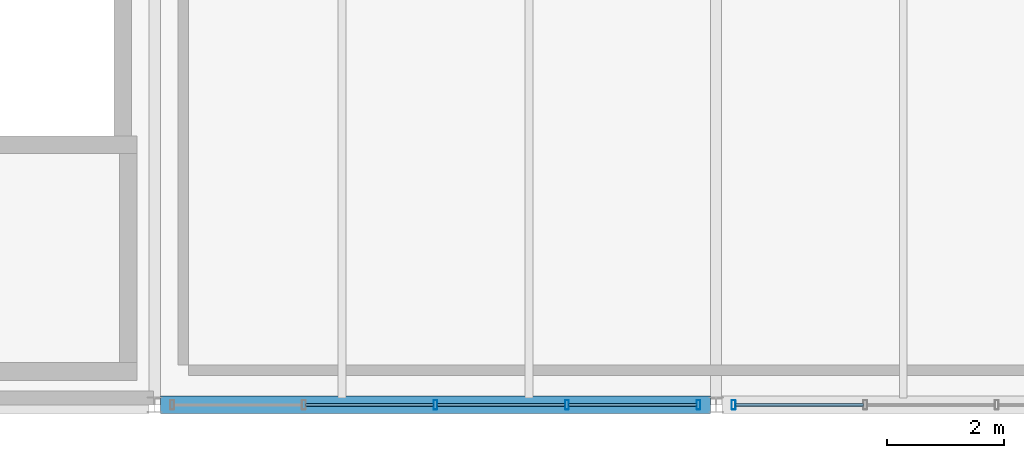
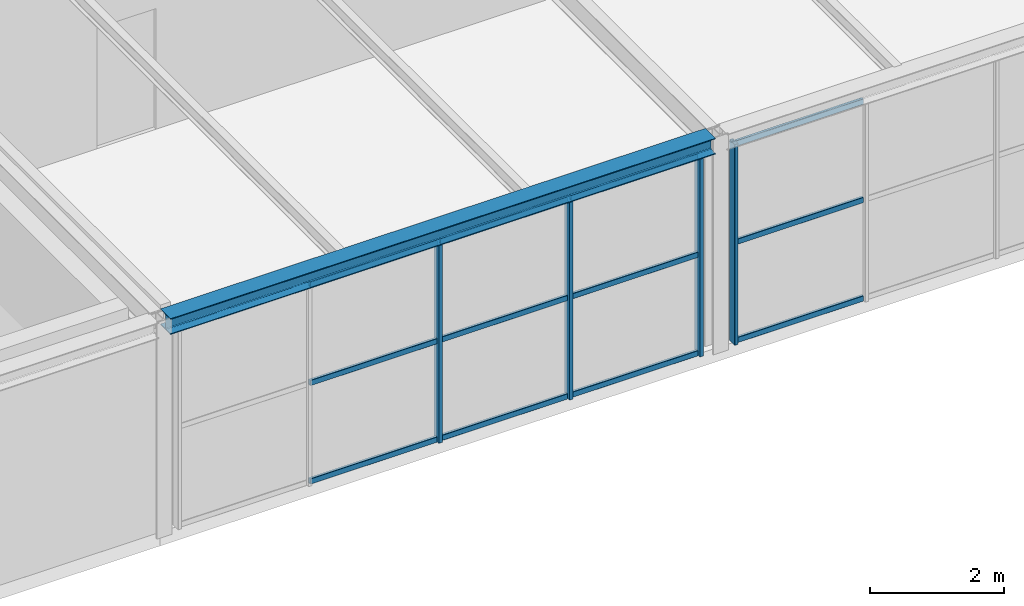
# One storey, part 18 of 39: 16 members, 1 beam, 2 elements without a shape of their own.
"""IFC4 building model written with IfcOpenShell, lengths in metres."""

from ifc_helpers import new_model, si_unit, direction, frame, origin, origin_2d, place, context, subcontext, project, spatial, hollow_rectangle, i_section, extrude, material, material_profile, profile_set, type_object, element, aggregate, save


model = new_model("IFC4")

# Units and contexts
model_context = context("Model", 3, precision=1e-05, world=origin(), true_north=direction((0.0, 1.0)))
body_context = subcontext(model_context, "Body", "Model", "MODEL_VIEW")
ifc_project = project(units=[si_unit("LENGTHUNIT", "METRE"), si_unit("AREAUNIT", "SQUARE_METRE"), si_unit("VOLUMEUNIT", "CUBIC_METRE"), si_unit("PLANEANGLEUNIT", "RADIAN"), si_unit("MASSUNIT", "GRAM", prefix="KILO")], contexts=[model_context])

# Site, building, storey
site_placement = place(None, origin())
site = spatial("IfcSite", under=ifc_project, at=site_placement, CompositionType="ELEMENT")
building_placement = place(site_placement, origin())
building = spatial("IfcBuilding", under=site, at=building_placement, Name="Coralgate Yard Interchange", CompositionType="ELEMENT")
storey_placement = place(building_placement, frame((0.0, 0.0, 18.89990234375)))
storey = spatial("IfcBuildingStorey", under=building, at=storey_placement, Name="L04", CompositionType="ELEMENT", Elevation=18.89990234375)

# Beam
ifc_material_1 = material(Name="Structural steel S355J2", Category="steel")
ifc_material_profile_1 = material_profile(ifc_material_1, i_section(OverallWidth=0.300048828125, OverallDepth=0.2900390625, WebThickness=0.008544921875, FlangeThickness=0.013916015625, FilletRadius=0.027099609375, at=origin_2d()), Name="HEA 300")
ifc_profile_set_1 = profile_set([ifc_material_profile_1], Name="Structural steel S355J2")
beam_type = type_object("IfcBeamType", Name="BM-SP-2", PredefinedType="SPANDREL", material=ifc_profile_set_1)
beam_placement = place(storey_placement, frame((28.8994140625, 0.0, 3.80517578125), z_axis=(1.0, 0.0, 0.0), x_axis=(0.0, 1.0, 0.0)))
element("IfcBeam", 1, at=beam_placement, inside=storey, type_object=beam_type, Name="L04 primary grid beam Y0 X3-4", PredefinedType="SPANDREL", context=body_context, shape_type="SweptSolid", body=[
    extrude(i_section(OverallWidth=0.300048828125, OverallDepth=0.2900390625, WebThickness=0.008544921875, FlangeThickness=0.013916015625, FilletRadius=0.027099609375, at=origin_2d()), origin(), (0.0, 0.0, 1.0), 9.401123046875),
])

# Curtain wall, members
ifc_material_2 = material(Name="Anodised coastal aluminium and solar-control low-E glass", Category="aluminium")
curtain_wall_type = type_object("IfcCurtainWallType", Name="CW-CW-L04-A", PredefinedType="NOTDEFINED", material=ifc_material_2)
curtain_wall_1_placement = place(storey_placement, origin())
curtain_wall_1 = element("IfcCurtainWall", 2, at=curtain_wall_1_placement, inside=storey, type_object=curtain_wall_type, Name="L04 unitised curtain wall CW-L04-S-03-00", PredefinedType="NOTDEFINED")
ifc_material_3 = material(Name="Anodised coastal aluminium 6063-T6", Category="aluminium")
ifc_material_profile_2 = material_profile(ifc_material_3, hollow_rectangle(XDim=0.06494140625, YDim=0.159912109375, WallThickness=0.00390625, InnerFilletRadius=0.00390625, OuterFilletRadius=0.008056640625, at=origin_2d()), Name="ALU 65x160x4")
ifc_profile_set_2 = profile_set([ifc_material_profile_2], Name="Anodised coastal aluminium 6063-T6")
member_type_1 = type_object("IfcMemberType", Name="MB-MUL-160", PredefinedType="MULLION", material=ifc_profile_set_2)
member_1_placement = place(storey_placement, frame((38.10009765625, 0.0, 0.0), z_axis=(0.0, 0.0, 1.0), x_axis=(1.0, 0.0, 0.0)))
member_1 = element("IfcMember", 3, at=member_1_placement, type_object=member_type_1, Name="CW-L04-S-03-00 vertical mullion 1", PredefinedType="MULLION", context=body_context, shape_type="SweptSolid", body=[
    extrude(hollow_rectangle(XDim=0.06494140625, YDim=0.159912109375, WallThickness=0.00390625, InnerFilletRadius=0.00390625, OuterFilletRadius=0.008056640625, at=origin_2d()), origin(), (0.0, 0.0, 1.0), 3.66015625),
])
member_2_placement = place(storey_placement, frame((35.85009765625, 0.0, 0.0), z_axis=(0.0, 0.0, 1.0), x_axis=(1.0, 0.0, 0.0)))
member_2 = element("IfcMember", 4, at=member_2_placement, type_object=member_type_1, Name="CW-L04-S-03-00 vertical mullion 2", PredefinedType="MULLION", context=body_context, shape_type="SweptSolid", body=[
    extrude(hollow_rectangle(XDim=0.06494140625, YDim=0.159912109375, WallThickness=0.00390625, InnerFilletRadius=0.00390625, OuterFilletRadius=0.008056640625, at=origin_2d()), origin(), (0.0, 0.0, 1.0), 3.66015625),
])
member_3_placement = place(storey_placement, frame((33.60009765625, 0.0, 0.0), z_axis=(0.0, 0.0, 1.0), x_axis=(1.0, 0.0, 0.0)))
member_3 = element("IfcMember", 5, at=member_3_placement, type_object=member_type_1, Name="CW-L04-S-03-00 vertical mullion 3", PredefinedType="MULLION", context=body_context, shape_type="SweptSolid", body=[
    extrude(hollow_rectangle(XDim=0.06494140625, YDim=0.159912109375, WallThickness=0.00390625, InnerFilletRadius=0.00390625, OuterFilletRadius=0.008056640625, at=origin_2d()), origin(), (0.0, 0.0, 1.0), 3.66015625),
])

# Curtain wall, member
curtain_wall_2_placement = place(storey_placement, origin())
curtain_wall_2 = element("IfcCurtainWall", 6, at=curtain_wall_2_placement, inside=storey, type_object=curtain_wall_type, Name="L04 unitised curtain wall CW-L04-S-04-00", PredefinedType="NOTDEFINED")
member_4_placement = place(storey_placement, frame((38.699951171875, 0.0, 0.0), z_axis=(0.0, 0.0, 1.0), x_axis=(1.0, 0.0, 0.0)))
member_4 = element("IfcMember", 7, at=member_4_placement, type_object=member_type_1, Name="CW-L04-S-04-00 vertical mullion 5", PredefinedType="MULLION", context=body_context, shape_type="SweptSolid", body=[
    extrude(hollow_rectangle(XDim=0.06494140625, YDim=0.159912109375, WallThickness=0.00390625, InnerFilletRadius=0.00390625, OuterFilletRadius=0.008056640625, at=origin_2d()), origin(), (0.0, 0.0, 1.0), 3.66015625),
])

# Member
ifc_material_profile_3 = material_profile(ifc_material_3, hollow_rectangle(XDim=0.050048828125, YDim=0.10009765625, WallThickness=0.0029296875, InnerFilletRadius=0.0029296875, OuterFilletRadius=0.006103515625, at=origin_2d()), Name="ALU 50x100x3")
ifc_profile_set_3 = profile_set([ifc_material_profile_3], Name="Anodised coastal aluminium 6063-T6")
member_type_2 = type_object("IfcMemberType", Name="MB-TRN-100", PredefinedType="USERDEFINED", material=ifc_profile_set_3)
member_5_placement = place(storey_placement, frame((38.070068359375, 0.0, 0.03515625), z_axis=(-1.0, 0.0, 0.0), x_axis=(0.0, -1.0, 0.0)))
member_5 = element("IfcMember", 8, at=member_5_placement, type_object=member_type_2, Name="CW-L04-S-03-00 horizontal transom 1-1", ObjectType="TRANSOM", PredefinedType="USERDEFINED", context=body_context, shape_type="SweptSolid", body=[
    extrude(hollow_rectangle(XDim=0.050048828125, YDim=0.10009765625, WallThickness=0.0029296875, InnerFilletRadius=0.0029296875, OuterFilletRadius=0.006103515625, at=origin_2d()), origin(), (0.0, 0.0, 1.0), 2.190185546875),
])

member_6_placement = place(storey_placement, frame((38.070068359375, 0.0, 1.830078125), z_axis=(-1.0, 0.0, 0.0), x_axis=(0.0, -1.0, 0.0)))
member_6 = element("IfcMember", 9, at=member_6_placement, type_object=member_type_2, Name="CW-L04-S-03-00 horizontal transom 1-2", ObjectType="TRANSOM", PredefinedType="USERDEFINED", context=body_context, shape_type="SweptSolid", body=[
    extrude(hollow_rectangle(XDim=0.050048828125, YDim=0.10009765625, WallThickness=0.0029296875, InnerFilletRadius=0.0029296875, OuterFilletRadius=0.006103515625, at=origin_2d()), origin(), (0.0, 0.0, 1.0), 2.190185546875),
])

member_7_placement = place(storey_placement, frame((38.070068359375, 0.0, 3.625), z_axis=(-1.0, 0.0, 0.0), x_axis=(0.0, -1.0, 0.0)))
member_7 = element("IfcMember", 10, at=member_7_placement, type_object=member_type_2, Name="CW-L04-S-03-00 horizontal transom 1-3", ObjectType="TRANSOM", PredefinedType="USERDEFINED", context=body_context, shape_type="SweptSolid", body=[
    extrude(hollow_rectangle(XDim=0.050048828125, YDim=0.10009765625, WallThickness=0.0029296875, InnerFilletRadius=0.0029296875, OuterFilletRadius=0.006103515625, at=origin_2d()), origin(), (0.0, 0.0, 1.0), 2.190185546875),
])

member_8_placement = place(storey_placement, frame((35.820068359375, 0.0, 0.03515625), z_axis=(-1.0, 0.0, 0.0), x_axis=(0.0, -1.0, 0.0)))
member_8 = element("IfcMember", 11, at=member_8_placement, type_object=member_type_2, Name="CW-L04-S-03-00 horizontal transom 2-1", ObjectType="TRANSOM", PredefinedType="USERDEFINED", context=body_context, shape_type="SweptSolid", body=[
    extrude(hollow_rectangle(XDim=0.050048828125, YDim=0.10009765625, WallThickness=0.0029296875, InnerFilletRadius=0.0029296875, OuterFilletRadius=0.006103515625, at=origin_2d()), origin(), (0.0, 0.0, 1.0), 2.190185546875),
])

member_9_placement = place(storey_placement, frame((35.820068359375, 0.0, 1.830078125), z_axis=(-1.0, 0.0, 0.0), x_axis=(0.0, -1.0, 0.0)))
member_9 = element("IfcMember", 12, at=member_9_placement, type_object=member_type_2, Name="CW-L04-S-03-00 horizontal transom 2-2", ObjectType="TRANSOM", PredefinedType="USERDEFINED", context=body_context, shape_type="SweptSolid", body=[
    extrude(hollow_rectangle(XDim=0.050048828125, YDim=0.10009765625, WallThickness=0.0029296875, InnerFilletRadius=0.0029296875, OuterFilletRadius=0.006103515625, at=origin_2d()), origin(), (0.0, 0.0, 1.0), 2.190185546875),
])

member_10_placement = place(storey_placement, frame((35.820068359375, 0.0, 3.625), z_axis=(-1.0, 0.0, 0.0), x_axis=(0.0, -1.0, 0.0)))
member_10 = element("IfcMember", 13, at=member_10_placement, type_object=member_type_2, Name="CW-L04-S-03-00 horizontal transom 2-3", ObjectType="TRANSOM", PredefinedType="USERDEFINED", context=body_context, shape_type="SweptSolid", body=[
    extrude(hollow_rectangle(XDim=0.050048828125, YDim=0.10009765625, WallThickness=0.0029296875, InnerFilletRadius=0.0029296875, OuterFilletRadius=0.006103515625, at=origin_2d()), origin(), (0.0, 0.0, 1.0), 2.190185546875),
])

member_11_placement = place(storey_placement, frame((33.570068359375, 0.0, 0.03515625), z_axis=(-1.0, 0.0, 0.0), x_axis=(0.0, -1.0, 0.0)))
member_11 = element("IfcMember", 14, at=member_11_placement, type_object=member_type_2, Name="CW-L04-S-03-00 horizontal transom 3-1", ObjectType="TRANSOM", PredefinedType="USERDEFINED", context=body_context, shape_type="SweptSolid", body=[
    extrude(hollow_rectangle(XDim=0.050048828125, YDim=0.10009765625, WallThickness=0.0029296875, InnerFilletRadius=0.0029296875, OuterFilletRadius=0.006103515625, at=origin_2d()), origin(), (0.0, 0.0, 1.0), 2.190185546875),
])

member_12_placement = place(storey_placement, frame((33.570068359375, 0.0, 1.830078125), z_axis=(-1.0, 0.0, 0.0), x_axis=(0.0, -1.0, 0.0)))
member_12 = element("IfcMember", 15, at=member_12_placement, type_object=member_type_2, Name="CW-L04-S-03-00 horizontal transom 3-2", ObjectType="TRANSOM", PredefinedType="USERDEFINED", context=body_context, shape_type="SweptSolid", body=[
    extrude(hollow_rectangle(XDim=0.050048828125, YDim=0.10009765625, WallThickness=0.0029296875, InnerFilletRadius=0.0029296875, OuterFilletRadius=0.006103515625, at=origin_2d()), origin(), (0.0, 0.0, 1.0), 2.190185546875),
])

member_13_placement = place(storey_placement, frame((33.570068359375, 0.0, 3.625), z_axis=(-1.0, 0.0, 0.0), x_axis=(0.0, -1.0, 0.0)))
member_13 = element("IfcMember", 16, at=member_13_placement, type_object=member_type_2, Name="CW-L04-S-03-00 horizontal transom 3-3", ObjectType="TRANSOM", PredefinedType="USERDEFINED", context=body_context, shape_type="SweptSolid", body=[
    extrude(hollow_rectangle(XDim=0.050048828125, YDim=0.10009765625, WallThickness=0.0029296875, InnerFilletRadius=0.0029296875, OuterFilletRadius=0.006103515625, at=origin_2d()), origin(), (0.0, 0.0, 1.0), 2.190185546875),
])

aggregate(curtain_wall_1, [member_1, member_2, member_3, member_5, member_6, member_7, member_8, member_9, member_10, member_11, member_12, member_13])

member_14_placement = place(storey_placement, frame((40.919921875, 0.0, 0.03515625), z_axis=(-1.0, 0.0, 0.0), x_axis=(0.0, -1.0, 0.0)))
member_14 = element("IfcMember", 17, at=member_14_placement, type_object=member_type_2, Name="CW-L04-S-04-00 horizontal transom 4-1", ObjectType="TRANSOM", PredefinedType="USERDEFINED", context=body_context, shape_type="SweptSolid", body=[
    extrude(hollow_rectangle(XDim=0.050048828125, YDim=0.10009765625, WallThickness=0.0029296875, InnerFilletRadius=0.0029296875, OuterFilletRadius=0.006103515625, at=origin_2d()), origin(), (0.0, 0.0, 1.0), 2.18994140625),
])

member_15_placement = place(storey_placement, frame((40.919921875, 0.0, 1.830078125), z_axis=(-1.0, 0.0, 0.0), x_axis=(0.0, -1.0, 0.0)))
member_15 = element("IfcMember", 18, at=member_15_placement, type_object=member_type_2, Name="CW-L04-S-04-00 horizontal transom 4-2", ObjectType="TRANSOM", PredefinedType="USERDEFINED", context=body_context, shape_type="SweptSolid", body=[
    extrude(hollow_rectangle(XDim=0.050048828125, YDim=0.10009765625, WallThickness=0.0029296875, InnerFilletRadius=0.0029296875, OuterFilletRadius=0.006103515625, at=origin_2d()), origin(), (0.0, 0.0, 1.0), 2.18994140625),
])

member_16_placement = place(storey_placement, frame((40.919921875, 0.0, 3.625), z_axis=(-1.0, 0.0, 0.0), x_axis=(0.0, -1.0, 0.0)))
member_16 = element("IfcMember", 19, at=member_16_placement, type_object=member_type_2, Name="CW-L04-S-04-00 horizontal transom 4-3", ObjectType="TRANSOM", PredefinedType="USERDEFINED", context=body_context, shape_type="SweptSolid", body=[
    extrude(hollow_rectangle(XDim=0.050048828125, YDim=0.10009765625, WallThickness=0.0029296875, InnerFilletRadius=0.0029296875, OuterFilletRadius=0.006103515625, at=origin_2d()), origin(), (0.0, 0.0, 1.0), 2.18994140625),
])

aggregate(curtain_wall_2, [member_4, member_14, member_15, member_16])

save(model, "model.ifc")
